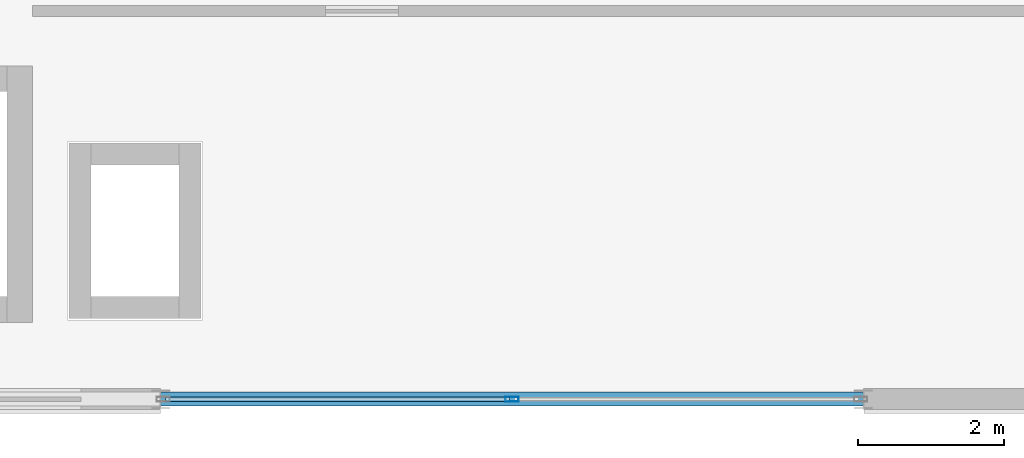
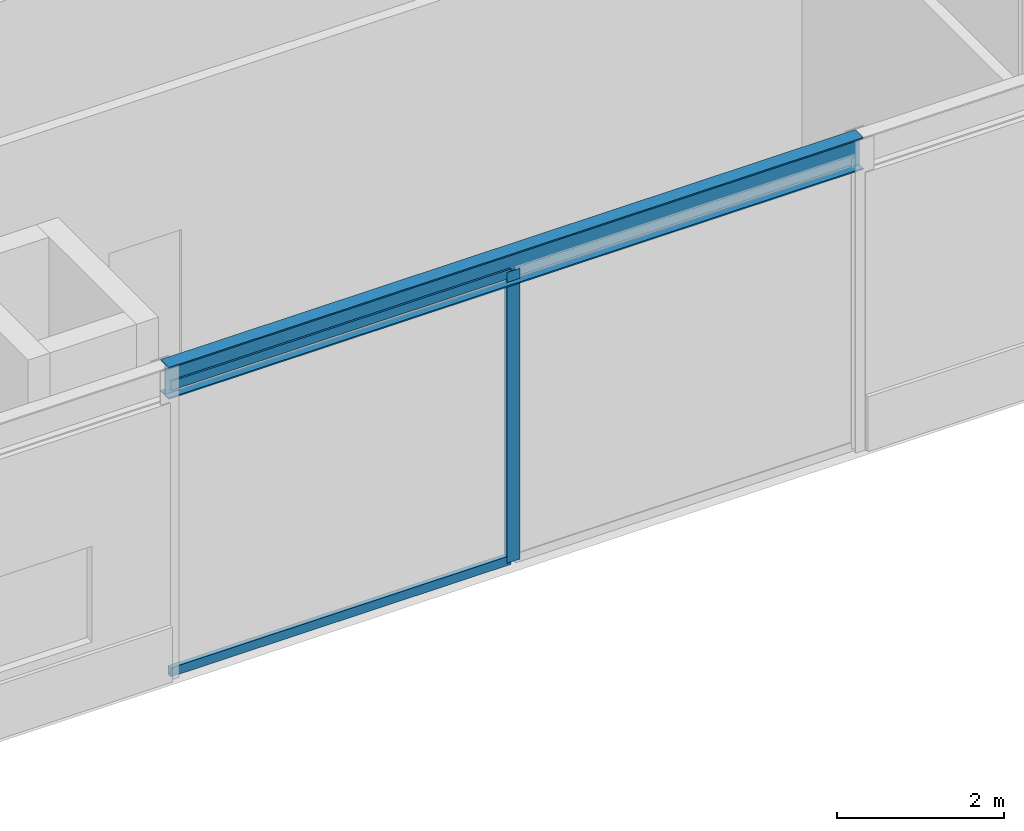
# One storey, part 19 of 133: 3 members, 1 beam, 1 element without a shape of its own.
"""IFC4 building model written with IfcOpenShell, lengths in metres."""

from ifc_helpers import new_model, si_unit, direction, frame, origin, origin_2d, place, context, subcontext, project, spatial, hollow_rectangle, i_section, extrude, material, material_profile, profile_set, type_object, element, aggregate, save


model = new_model("IFC4")

# Units and contexts
model_context = context("Model", 3, precision=1e-05, world=origin(), true_north=direction((0.0, 1.0)))
body_context = subcontext(model_context, "Body", "Model", "MODEL_VIEW")
ifc_project = project(units=[si_unit("LENGTHUNIT", "METRE"), si_unit("AREAUNIT", "SQUARE_METRE"), si_unit("VOLUMEUNIT", "CUBIC_METRE"), si_unit("PLANEANGLEUNIT", "RADIAN"), si_unit("MASSUNIT", "GRAM", prefix="KILO")], contexts=[model_context])

# Site, building, storey
site_placement = place(None, origin())
site = spatial("IfcSite", under=ifc_project, at=site_placement, CompositionType="ELEMENT")
building_placement = place(site_placement, origin())
building = spatial("IfcBuilding", under=site, at=building_placement, Name="Almandine Court Research Institute", CompositionType="ELEMENT")
storey_placement = place(building_placement, frame((0.0, 0.0, 9.800048828125)))
storey = spatial("IfcBuildingStorey", under=building, at=storey_placement, Name="L02", CompositionType="ELEMENT", Elevation=9.800048828125)

# Beam
ifc_material_1 = material(Name="Steel ASTM A992 Grade 50", Category="steel")
ifc_material_profile_1 = material_profile(ifc_material_1, i_section(OverallWidth=0.193115234375, OverallDepth=0.466064453125, WebThickness=0.010986328125, FlangeThickness=0.01904296875, at=origin_2d()), Name="W460x97")
ifc_profile_set_1 = profile_set([ifc_material_profile_1], Name="Steel ASTM A992 Grade 50")
beam_type = type_object("IfcBeamType", Name="Beam-G-06-E", PredefinedType="SPANDREL", material=ifc_profile_set_1)
beam_placement = place(storey_placement, frame((15.60009765625, 6.0, 4.31689453125), z_axis=(1.0, 0.0, 0.0), x_axis=(0.0, 1.0, 0.0)))
element("IfcBeam", 1, at=beam_placement, inside=storey, type_object=beam_type, Name="L02 V1 Primary X Girder", PredefinedType="SPANDREL", context=body_context, shape_type="SweptSolid", body=[
    extrude(i_section(OverallWidth=0.193115234375, OverallDepth=0.466064453125, WebThickness=0.010986328125, FlangeThickness=0.01904296875, at=origin_2d()), origin(), (0.0, 0.0, 1.0), 9.599853515625),
])

# Curtain wall, members
ifc_material_2 = material(Name="Unitised Curtain Wall Framing and Solar Glazing", Category="glass")
curtain_wall_type = type_object("IfcCurtainWallType", Name="CW-CWJ-03", PredefinedType="USERDEFINED", material=ifc_material_2)
curtain_wall_placement = place(storey_placement, origin())
curtain_wall = element("IfcCurtainWall", 2, at=curtain_wall_placement, inside=storey, type_object=curtain_wall_type, Name="L02 Lecture Foyer South Jali Curtain Wall", ObjectType="SOLAR JALI SCREEN", PredefinedType="USERDEFINED")
ifc_material_3 = material(Name="Anodised Aluminium AW-6063-T6", Category="aluminium")
ifc_material_profile_2 = material_profile(ifc_material_3, hollow_rectangle(XDim=0.06494140625, YDim=0.179931640625, WallThickness=0.00390625, at=origin_2d()), Name="ALU RHS 65x180x4")
ifc_profile_set_2 = profile_set([ifc_material_profile_2], Name="Anodised Aluminium AW-6063-T6")
member_type_1 = type_object("IfcMemberType", Name="CWMul-65x180", PredefinedType="MULLION", material=ifc_profile_set_2)
member_1_placement = place(storey_placement, frame((20.39990234375, 6.0, 0.0), z_axis=(0.0, 0.0, 1.0), x_axis=(0.0, -1.0, 0.0)))
member_1 = element("IfcMember", 3, at=member_1_placement, type_object=member_type_1, Name="CWJ-03 mullion 2", PredefinedType="MULLION", context=body_context, shape_type="SweptSolid", body=[
    extrude(hollow_rectangle(XDim=0.06494140625, YDim=0.179931640625, WallThickness=0.00390625, at=origin_2d()), origin(), (0.0, 0.0, 1.0), 4.25),
])
ifc_material_profile_3 = material_profile(ifc_material_3, hollow_rectangle(XDim=0.06494140625, YDim=0.1298828125, WallThickness=0.00390625, at=origin_2d()), Name="ALU RHS 65x130x4")
ifc_profile_set_3 = profile_set([ifc_material_profile_3], Name="Anodised Aluminium AW-6063-T6")
member_type_2 = type_object("IfcMemberType", Name="CWTrn-65x130", PredefinedType="NOTDEFINED", material=ifc_profile_set_3)
member_2_placement = place(storey_placement, frame((20.367431640625, 6.0, 0.032470703125), z_axis=(-1.0, 0.0, 0.0), x_axis=(0.0, -1.0, 0.0)))
member_2 = element("IfcMember", 4, at=member_2_placement, type_object=member_type_2, Name="CWJ-03 transom 2.1", ObjectType="TRANSOM", PredefinedType="USERDEFINED", context=body_context, shape_type="SweptSolid", body=[
    extrude(hollow_rectangle(XDim=0.06494140625, YDim=0.1298828125, WallThickness=0.00390625, at=origin_2d()), origin(), (0.0, 0.0, 1.0), 4.698486328125),
])
member_3_placement = place(storey_placement, frame((20.367431640625, 6.0, 4.217529296875), z_axis=(-1.0, 0.0, 0.0), x_axis=(0.0, -1.0, 0.0)))
member_3 = element("IfcMember", 5, at=member_3_placement, type_object=member_type_2, Name="CWJ-03 transom 2.2", ObjectType="TRANSOM", PredefinedType="USERDEFINED", context=body_context, shape_type="SweptSolid", body=[
    extrude(hollow_rectangle(XDim=0.06494140625, YDim=0.1298828125, WallThickness=0.00390625, at=origin_2d()), origin(), (0.0, 0.0, 1.0), 4.698486328125),
])
aggregate(curtain_wall, [member_1, member_2, member_3])

save(model, "model.ifc")
